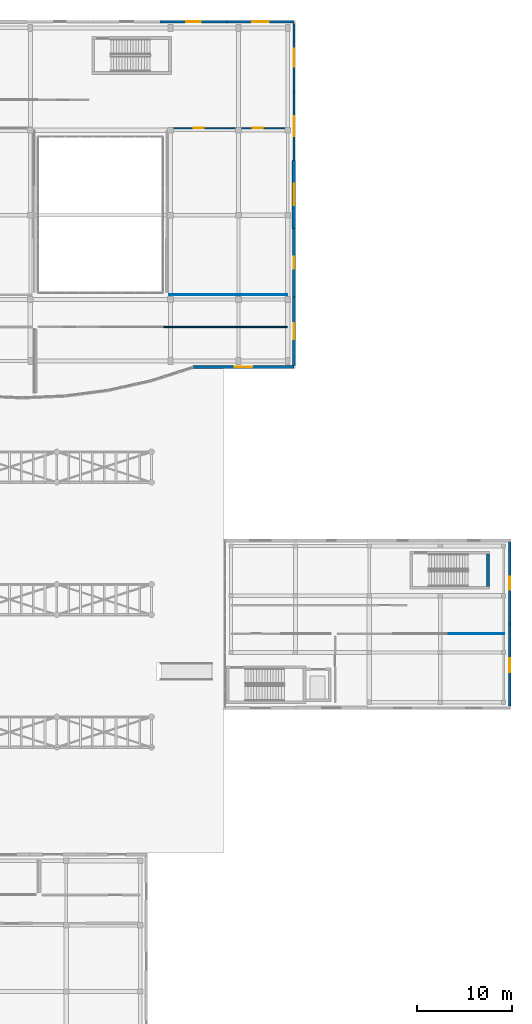
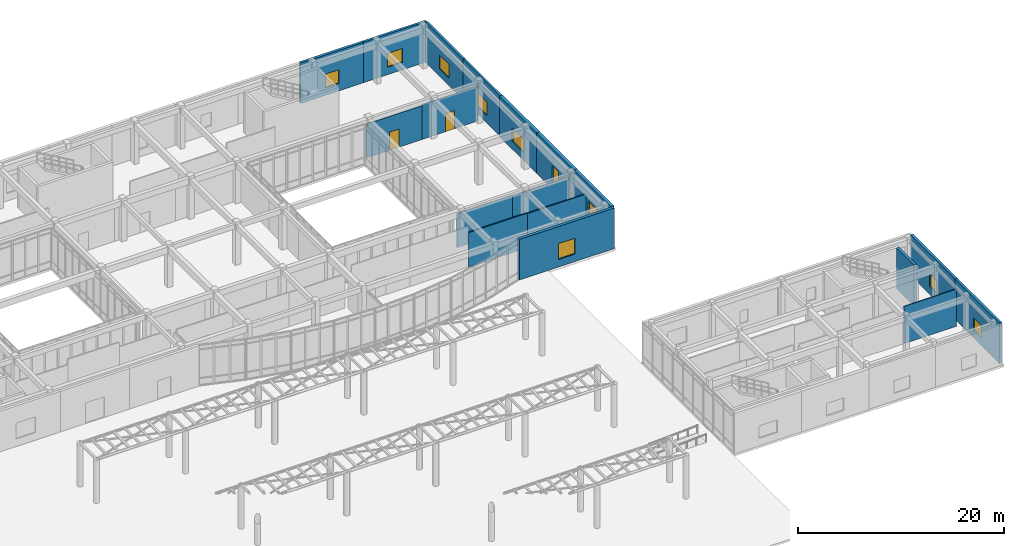
# One storey, part 107 of 121: 18 walls, 10 windows, 2 doors, 12 openings.
"""IFC4 building model written with IfcOpenShell, lengths in metres."""

from ifc_helpers import new_model, si_unit, direction, frame, frame_2d, origin, place, context, subcontext, project, spatial, rectangle, extrude, material, layer, layer_set, type_object, element, fill, save


model = new_model("IFC4")

# Units and contexts
model_context = context("Model", 3, precision=1e-05, world=origin(), true_north=direction((0.0, 1.0)))
body_context = subcontext(model_context, "Body", "Model", "MODEL_VIEW")
ifc_project = project(units=[si_unit("LENGTHUNIT", "METRE"), si_unit("AREAUNIT", "SQUARE_METRE"), si_unit("VOLUMEUNIT", "CUBIC_METRE"), si_unit("PLANEANGLEUNIT", "RADIAN"), si_unit("MASSUNIT", "GRAM", prefix="KILO")], contexts=[model_context])

# Site, building, storey
site_placement = place(None, origin())
site = spatial("IfcSite", under=ifc_project, at=site_placement, CompositionType="ELEMENT")
building_placement = place(site_placement, origin())
building = spatial("IfcBuilding", under=site, at=building_placement, Name="Valcora Specialist Clinic", CompositionType="ELEMENT")
storey_placement = place(building_placement, origin())
storey = spatial("IfcBuildingStorey", under=building, at=storey_placement, Name="L00", CompositionType="ELEMENT", Elevation=0.0)

# Wall
ifc_material_1 = material(Name="Concrete C40/50", Category="concrete")
ifc_layer_1 = layer(ifc_material_1, 0.320068359375)
ifc_layer_set_1 = layer_set([ifc_layer_1], Name="Concrete C40/50")
wall_type_1 = type_object("IfcWallType", Name="TY-WL-CR320", PredefinedType="SHEAR", material=ifc_layer_set_1)
wall_1_placement = place(storey_placement, frame((159.56005859375, 51.001953125, 0.0), z_axis=(0.0, 0.0, 1.0), x_axis=(0.0, 1.0, 0.0)))
element("IfcWall", 1, at=wall_1_placement, inside=storey, type_object=wall_type_1, Name="Core shear wall WL-CR-C-V3B-L00-E", PredefinedType="SHEAR", context=body_context, shape_type="SweptSolid", body=[
    extrude(rectangle(XDim=3.39599609375, YDim=0.320068359375, at=frame_2d((1.697998046875, 0.0))), origin(), (0.0, 0.0, 1.0), 4.824951171875),
])

# Wall, opening, window
ifc_material_2 = material(Name="Extruded Jalisco Clay Brick Masonry", Category="masonry")
ifc_layer_2 = layer(ifc_material_2, 0.235107421875)
ifc_layer_set_2 = layer_set([ifc_layer_2], Name="Extruded Jalisco Clay Brick Masonry")
wall_type_2 = type_object("IfcWallType", Name="TY-WL-EW235", PredefinedType="SOLIDWALL", material=ifc_layer_set_2)
wall_2_placement = place(storey_placement, frame((139.050048828125, 103.236083984375, 0.0), z_axis=(0.0, 0.0, 1.0), x_axis=(0.0, -1.0, 0.0)))
wall_2 = element("IfcWall", 2, at=wall_2_placement, inside=storey, type_object=wall_type_2, Name="Exterior wall WL-EXT-L00-0140", PredefinedType="SOLIDWALL", context=body_context, shape_type="SweptSolid", body=[
    extrude(rectangle(XDim=7.22412109375, YDim=0.235107421875, at=frame_2d((3.612060546875, 0.0))), origin(), (0.0, 0.0, 1.0), 4.81005859375),
])
opening_1_placement = place(wall_2_placement, frame((2.552001953125, 0.0, 0.89990234375)))
opening_1 = element("IfcOpeningElement", 3, at=opening_1_placement, cuts=wall_2, Name="Opening WN-37", PredefinedType="OPENING", context=body_context, shape_type="SweptSolid", body=[
    extrude(rectangle(XDim=2.1201171875, YDim=1.6201171875, at=frame_2d((1.06005859375, 0.81005859375))), frame((0.0, 0.12744140625, 0.0), z_axis=(0.0, -1.0, 0.0), x_axis=(1.0, 0.0, 0.0)), (0.0, 0.0, 1.0), 0.255126953125),
])
ifc_material_3 = material(Name="Low-E Laminated Insulating Glass", Category="glass")
window_type_1 = type_object("IfcWindowType", Name="TY-WN-37", PartitioningType="SINGLE_PANEL", PredefinedType="WINDOW", material=ifc_material_3)
window_1_placement = place(opening_1_placement, origin())
window_1 = element("IfcWindow", 4, at=window_1_placement, inside=storey, type_object=window_type_1, Name="Facade window WN-L00-0121", OverallHeight=1.6201171875, OverallWidth=2.1201171875, PartitioningType="SINGLE_PANEL", PredefinedType="WINDOW", context=body_context, shape_type="SweptSolid", body=[
    extrude(rectangle(XDim=2.1201171875, YDim=1.6201171875, at=frame_2d((1.06005859375, 0.81005859375))), frame((0.0, 0.030029296875, 0.0), z_axis=(0.0, -1.0, 0.0), x_axis=(1.0, 0.0, 0.0)), (0.0, 0.0, 1.0), 0.06005859375),
])
fill(opening_1, window_1)

ifc_layer_3 = layer(ifc_material_2, 0.25)
ifc_layer_set_3 = layer_set([ifc_layer_3], Name="Extruded Jalisco Clay Brick Masonry")
wall_type_3 = type_object("IfcWallType", Name="TY-WL-EW250", PredefinedType="SOLIDWALL", material=ifc_layer_set_3)
wall_3_placement = place(storey_placement, frame((139.050048828125, 110.4599609375, 0.0), z_axis=(0.0, 0.0, 1.0), x_axis=(0.0, -1.0, 0.0)))
wall_3 = element("IfcWall", 5, at=wall_3_placement, inside=storey, type_object=wall_type_3, Name="Exterior wall WL-EXT-L00-0139", PredefinedType="SOLIDWALL", context=body_context, shape_type="SweptSolid", body=[
    extrude(rectangle(XDim=7.223876953125, YDim=0.25, at=frame_2d((3.61181640625, 0.0))), origin(), (0.0, 0.0, 1.0), 4.81005859375),
])
opening_2_placement = place(wall_3_placement, frame((2.652099609375, 0.0, 0.89990234375)))
opening_2 = element("IfcOpeningElement", 6, at=opening_2_placement, cuts=wall_3, Name="Opening WN-36", PredefinedType="OPENING", context=body_context, shape_type="SweptSolid", body=[
    extrude(rectangle(XDim=1.919921875, YDim=1.6201171875, at=frame_2d((0.9599609375, 0.81005859375))), frame((0.0, 0.135009765625, 0.0), z_axis=(0.0, -1.0, 0.0), x_axis=(1.0, 0.0, 0.0)), (0.0, 0.0, 1.0), 0.27001953125),
])
window_type_2 = type_object("IfcWindowType", Name="TY-WN-36", PartitioningType="SINGLE_PANEL", PredefinedType="WINDOW", material=ifc_material_3)
window_2_placement = place(opening_2_placement, origin())
window_2 = element("IfcWindow", 7, at=window_2_placement, inside=storey, type_object=window_type_2, Name="Facade window WN-L00-0120", OverallHeight=1.6201171875, OverallWidth=1.919921875, PartitioningType="SINGLE_PANEL", PredefinedType="WINDOW", context=body_context, shape_type="SweptSolid", body=[
    extrude(rectangle(XDim=1.919921875, YDim=1.6201171875, at=frame_2d((0.9599609375, 0.81005859375))), frame((0.0, 0.030029296875, 0.0), z_axis=(0.0, -1.0, 0.0), x_axis=(1.0, 0.0, 0.0)), (0.0, 0.0, 1.0), 0.06005859375),
])
fill(opening_2, window_2)

ifc_layer_4 = layer(ifc_material_2, 0.264892578125)
ifc_layer_set_4 = layer_set([ifc_layer_4], Name="Extruded Jalisco Clay Brick Masonry")
wall_type_4 = type_object("IfcWallType", Name="TY-WL-EW265", PredefinedType="SOLIDWALL", material=ifc_layer_set_4)
wall_4_placement = place(storey_placement, frame((161.85009765625, 47.0, 0.0), z_axis=(0.0, 0.0, 1.0), x_axis=(0.0, -1.0, 0.0)))
wall_4 = element("IfcWall", 8, at=wall_4_placement, inside=storey, type_object=wall_type_4, Name="Exterior wall WL-EXT-L00-0108", PredefinedType="SOLIDWALL", context=body_context, shape_type="SweptSolid", body=[
    extrude(rectangle(XDim=8.659912109375, YDim=0.264892578125, at=frame_2d((4.330078125, 0.0))), origin(), (0.0, 0.0, 1.0), 4.824951171875),
])
opening_3_placement = place(wall_4_placement, frame((3.580078125, 0.0, 0.89990234375)))
opening_3 = element("IfcOpeningElement", 9, at=opening_3_placement, cuts=wall_4, Name="Opening WN-05", PredefinedType="OPENING", context=body_context, shape_type="SweptSolid", body=[
    extrude(rectangle(XDim=1.5, YDim=1.5, at=frame_2d((0.75, 0.75))), frame((0.0, 0.142333984375, 0.0), z_axis=(0.0, -1.0, 0.0), x_axis=(1.0, 0.0, 0.0)), (0.0, 0.0, 1.0), 0.284912109375),
])
window_type_3 = type_object("IfcWindowType", Name="TY-WN-05", PartitioningType="SINGLE_PANEL", PredefinedType="WINDOW", material=ifc_material_3)
window_3_placement = place(opening_3_placement, origin())
window_3 = element("IfcWindow", 10, at=window_3_placement, inside=storey, type_object=window_type_3, Name="Facade window WN-L00-0089", OverallHeight=1.5, OverallWidth=1.5, PartitioningType="SINGLE_PANEL", PredefinedType="WINDOW", context=body_context, shape_type="SweptSolid", body=[
    extrude(rectangle(XDim=1.5, YDim=1.5, at=frame_2d((0.75, 0.75))), frame((0.0, 0.030029296875, 0.0), z_axis=(0.0, -1.0, 0.0), x_axis=(1.0, 0.0, 0.0)), (0.0, 0.0, 1.0), 0.06005859375),
])
fill(opening_3, window_3)

wall_5_placement = place(storey_placement, frame((131.986328125, 110.64990234375, 0.0), z_axis=(0.0, 0.0, 1.0), x_axis=(1.0, 0.0, 0.0)))
wall_5 = element("IfcWall", 11, at=wall_5_placement, inside=storey, type_object=wall_type_4, Name="Exterior wall WL-EXT-L00-0138", PredefinedType="SOLIDWALL", context=body_context, shape_type="SweptSolid", body=[
    extrude(rectangle(XDim=7.063720703125, YDim=0.264892578125, at=frame_2d((3.53173828125, 0.0))), origin(), (0.0, 0.0, 1.0), 4.81005859375),
])
opening_4_placement = place(wall_5_placement, frame((2.672119140625, 0.0, 0.89990234375)))
opening_4 = element("IfcOpeningElement", 12, at=opening_4_placement, cuts=wall_5, Name="Opening WN-35", PredefinedType="OPENING", context=body_context, shape_type="SweptSolid", body=[
    extrude(rectangle(XDim=1.719970703125, YDim=1.6201171875, at=frame_2d((0.85986328125, 0.81005859375))), frame((0.0, 0.142333984375, 0.0), z_axis=(0.0, -1.0, 0.0), x_axis=(1.0, 0.0, 0.0)), (0.0, 0.0, 1.0), 0.284912109375),
])
window_type_4 = type_object("IfcWindowType", Name="TY-WN-35", PartitioningType="SINGLE_PANEL", PredefinedType="WINDOW", material=ifc_material_3)
window_4_placement = place(opening_4_placement, origin())
window_4 = element("IfcWindow", 13, at=window_4_placement, inside=storey, type_object=window_type_4, Name="Facade window WN-L00-0119", OverallHeight=1.6201171875, OverallWidth=1.719970703125, PartitioningType="SINGLE_PANEL", PredefinedType="WINDOW", context=body_context, shape_type="SweptSolid", body=[
    extrude(rectangle(XDim=1.719970703125, YDim=1.6201171875, at=frame_2d((0.85986328125, 0.81005859375))), frame((0.0, 0.030029296875, 0.0), z_axis=(0.0, -1.0, 0.0), x_axis=(1.0, 0.0, 0.0)), (0.0, 0.0, 1.0), 0.06005859375),
])
fill(opening_4, window_4)

ifc_layer_5 = layer(ifc_material_2, 0.280029296875)
ifc_layer_set_5 = layer_set([ifc_layer_5], Name="Extruded Jalisco Clay Brick Masonry")
wall_type_5 = type_object("IfcWallType", Name="TY-WL-EW280", PredefinedType="SOLIDWALL", material=ifc_layer_set_5)
wall_6_placement = place(storey_placement, frame((161.85009765625, 55.659912109375, 0.0), z_axis=(0.0, 0.0, 1.0), x_axis=(0.0, -1.0, 0.0)))
wall_6 = element("IfcWall", 14, at=wall_6_placement, inside=storey, type_object=wall_type_5, Name="Exterior wall WL-EXT-L00-0107", PredefinedType="SOLIDWALL", context=body_context, shape_type="SweptSolid", body=[
    extrude(rectangle(XDim=8.659912109375, YDim=0.280029296875, at=frame_2d((4.330078125, 0.0))), origin(), (0.0, 0.0, 1.0), 4.824951171875),
])
opening_5_placement = place(wall_6_placement, frame((3.655029296875, 0.0, 0.89990234375)))
opening_5 = element("IfcOpeningElement", 15, at=opening_5_placement, cuts=wall_6, Name="Opening WN-04", PredefinedType="OPENING", context=body_context, shape_type="SweptSolid", body=[
    extrude(rectangle(XDim=1.35009765625, YDim=1.5, at=frame_2d((0.675048828125, 0.75))), frame((0.0, 0.14990234375, 0.0), z_axis=(0.0, -1.0, 0.0), x_axis=(1.0, 0.0, 0.0)), (0.0, 0.0, 1.0), 0.300048828125),
])
window_type_5 = type_object("IfcWindowType", Name="TY-WN-04", PartitioningType="SINGLE_PANEL", PredefinedType="WINDOW", material=ifc_material_3)
window_5_placement = place(opening_5_placement, origin())
window_5 = element("IfcWindow", 16, at=window_5_placement, inside=storey, type_object=window_type_5, Name="Facade window WN-L00-0088", OverallHeight=1.5, OverallWidth=1.35009765625, PartitioningType="SINGLE_PANEL", PredefinedType="WINDOW", context=body_context, shape_type="SweptSolid", body=[
    extrude(rectangle(XDim=1.35009765625, YDim=1.5, at=frame_2d((0.675048828125, 0.75))), frame((0.0, 0.030029296875, 0.0), z_axis=(0.0, -1.0, 0.0), x_axis=(1.0, 0.0, 0.0)), (0.0, 0.0, 1.0), 0.06005859375),
])
fill(opening_5, window_5)

wall_7_placement = place(storey_placement, frame((124.922607421875, 110.64990234375, 0.0), z_axis=(0.0, 0.0, 1.0), x_axis=(1.0, 0.0, 0.0)))
wall_7 = element("IfcWall", 17, at=wall_7_placement, inside=storey, type_object=wall_type_5, Name="Exterior wall WL-EXT-L00-0137", PredefinedType="SOLIDWALL", context=body_context, shape_type="SweptSolid", body=[
    extrude(rectangle(XDim=7.063720703125, YDim=0.280029296875, at=frame_2d((3.53173828125, 0.0))), origin(), (0.0, 0.0, 1.0), 4.81005859375),
])
opening_6_placement = place(wall_7_placement, frame((2.761962890625, 0.0, 0.89990234375)))
opening_6 = element("IfcOpeningElement", 18, at=opening_6_placement, cuts=wall_7, Name="Opening WN-34", PredefinedType="OPENING", context=body_context, shape_type="SweptSolid", body=[
    extrude(rectangle(XDim=1.5400390625, YDim=1.6201171875, at=frame_2d((0.77001953125, 0.81005859375))), frame((0.0, 0.14990234375, 0.0), z_axis=(0.0, -1.0, 0.0), x_axis=(1.0, 0.0, 0.0)), (0.0, 0.0, 1.0), 0.300048828125),
])
window_type_6 = type_object("IfcWindowType", Name="TY-WN-34", PartitioningType="SINGLE_PANEL", PredefinedType="WINDOW", material=ifc_material_3)
window_6_placement = place(opening_6_placement, origin())
window_6 = element("IfcWindow", 19, at=window_6_placement, inside=storey, type_object=window_type_6, Name="Facade window WN-L00-0118", OverallHeight=1.6201171875, OverallWidth=1.5400390625, PartitioningType="SINGLE_PANEL", PredefinedType="WINDOW", context=body_context, shape_type="SweptSolid", body=[
    extrude(rectangle(XDim=1.5400390625, YDim=1.6201171875, at=frame_2d((0.77001953125, 0.81005859375))), frame((0.0, 0.030029296875, 0.0), z_axis=(0.0, -1.0, 0.0), x_axis=(1.0, 0.0, 0.0)), (0.0, 0.0, 1.0), 0.06005859375),
])
fill(opening_6, window_6)

ifc_layer_6 = layer(ifc_material_2, 0.324951171875)
ifc_layer_set_6 = layer_set([ifc_layer_6], Name="Extruded Jalisco Clay Brick Masonry")
wall_type_6 = type_object("IfcWallType", Name="TY-WL-EW325", PredefinedType="SOLIDWALL", material=ifc_layer_set_6)
wall_8_placement = place(storey_placement, frame((139.050048828125, 74.14990234375, 0.0), z_axis=(0.0, 0.0, 1.0), x_axis=(-1.0, 0.0, 0.0)))
wall_8 = element("IfcWall", 20, at=wall_8_placement, inside=storey, type_object=wall_type_6, Name="Exterior wall WL-EXT-L00-0144", PredefinedType="SOLIDWALL", context=body_context, shape_type="SweptSolid", body=[
    extrude(rectangle(XDim=10.67333984375, YDim=0.324951171875, at=frame_2d((5.336669921875, 0.0))), origin(), (0.0, 0.0, 1.0), 4.81005859375),
])
opening_7_placement = place(wall_8_placement, frame((4.39697265625, 0.0, 0.89990234375)))
opening_7 = element("IfcOpeningElement", 21, at=opening_7_placement, cuts=wall_8, Name="Opening WN-41", PredefinedType="OPENING", context=body_context, shape_type="SweptSolid", body=[
    extrude(rectangle(XDim=1.8798828125, YDim=1.8798828125, at=frame_2d((0.93994140625, 0.93994140625))), frame((0.0, 0.17236328125, 0.0), z_axis=(0.0, -1.0, 0.0), x_axis=(1.0, 0.0, 0.0)), (0.0, 0.0, 1.0), 0.344970703125),
])
window_type_7 = type_object("IfcWindowType", Name="TY-WN-41", PartitioningType="SINGLE_PANEL", PredefinedType="WINDOW", material=ifc_material_3)
window_7_placement = place(opening_7_placement, origin())
window_7 = element("IfcWindow", 22, at=window_7_placement, inside=storey, type_object=window_type_7, Name="Facade window WN-L00-0125", OverallHeight=1.8798828125, OverallWidth=1.8798828125, PartitioningType="SINGLE_PANEL", PredefinedType="WINDOW", context=body_context, shape_type="SweptSolid", body=[
    extrude(rectangle(XDim=1.8798828125, YDim=1.8798828125, at=frame_2d((0.93994140625, 0.93994140625))), frame((0.0, 0.030029296875, 0.0), z_axis=(0.0, -1.0, 0.0), x_axis=(1.0, 0.0, 0.0)), (0.0, 0.0, 1.0), 0.06005859375),
])
fill(opening_7, window_7)

ifc_layer_7 = layer(ifc_material_2, 0.340087890625)
ifc_layer_set_7 = layer_set([ifc_layer_7], Name="Extruded Jalisco Clay Brick Masonry")
wall_type_7 = type_object("IfcWallType", Name="TY-WL-EW340", PredefinedType="SOLIDWALL", material=ifc_layer_set_7)
wall_9_placement = place(storey_placement, frame((139.050048828125, 81.56396484375, 0.0), z_axis=(0.0, 0.0, 1.0), x_axis=(0.0, -1.0, 0.0)))
wall_9 = element("IfcWall", 23, at=wall_9_placement, inside=storey, type_object=wall_type_7, Name="Exterior wall WL-EXT-L00-0143", PredefinedType="SOLIDWALL", context=body_context, shape_type="SweptSolid", body=[
    extrude(rectangle(XDim=7.223876953125, YDim=0.340087890625, at=frame_2d((3.61181640625, 0.0))), origin(), (0.0, 0.0, 1.0), 4.81005859375),
])
opening_8_placement = place(wall_9_placement, frame((2.77197265625, 0.0, 0.89990234375)))
opening_8 = element("IfcOpeningElement", 24, at=opening_8_placement, cuts=wall_9, Name="Opening WN-40", PredefinedType="OPENING", context=body_context, shape_type="SweptSolid", body=[
    extrude(rectangle(XDim=1.679931640625, YDim=1.8798828125, at=frame_2d((0.83984375, 0.93994140625))), frame((0.0, 0.179931640625, 0.0), z_axis=(0.0, -1.0, 0.0), x_axis=(1.0, 0.0, 0.0)), (0.0, 0.0, 1.0), 0.360107421875),
])
window_type_8 = type_object("IfcWindowType", Name="TY-WN-40", PartitioningType="SINGLE_PANEL", PredefinedType="WINDOW", material=ifc_material_3)
window_8_placement = place(opening_8_placement, origin())
window_8 = element("IfcWindow", 25, at=window_8_placement, inside=storey, type_object=window_type_8, Name="Facade window WN-L00-0124", OverallHeight=1.8798828125, OverallWidth=1.679931640625, PartitioningType="SINGLE_PANEL", PredefinedType="WINDOW", context=body_context, shape_type="SweptSolid", body=[
    extrude(rectangle(XDim=1.679931640625, YDim=1.8798828125, at=frame_2d((0.83984375, 0.93994140625))), frame((0.0, 0.030029296875, 0.0), z_axis=(0.0, -1.0, 0.0), x_axis=(1.0, 0.0, 0.0)), (0.0, 0.0, 1.0), 0.06005859375),
])
fill(opening_8, window_8)

ifc_layer_8 = layer(ifc_material_2, 0.35498046875)
ifc_layer_set_8 = layer_set([ifc_layer_8], Name="Extruded Jalisco Clay Brick Masonry")
wall_type_8 = type_object("IfcWallType", Name="TY-WL-EW355", PredefinedType="SOLIDWALL", material=ifc_layer_set_8)
wall_10_placement = place(storey_placement, frame((139.050048828125, 88.7880859375, 0.0), z_axis=(0.0, 0.0, 1.0), x_axis=(0.0, -1.0, 0.0)))
wall_10 = element("IfcWall", 26, at=wall_10_placement, inside=storey, type_object=wall_type_8, Name="Exterior wall WL-EXT-L00-0142", PredefinedType="SOLIDWALL", context=body_context, shape_type="SweptSolid", body=[
    extrude(rectangle(XDim=7.22412109375, YDim=0.35498046875, at=frame_2d((3.612060546875, 0.0))), origin(), (0.0, 0.0, 1.0), 4.81005859375),
])
opening_9_placement = place(wall_10_placement, frame((2.971923828125, 0.0, 0.89990234375)))
opening_9 = element("IfcOpeningElement", 27, at=opening_9_placement, cuts=wall_10, Name="Opening WN-39", PredefinedType="OPENING", context=body_context, shape_type="SweptSolid", body=[
    extrude(rectangle(XDim=1.280029296875, YDim=1.8798828125, at=frame_2d((0.64013671875, 0.93994140625))), frame((0.0, 0.1875, 0.0), z_axis=(0.0, -1.0, 0.0), x_axis=(1.0, 0.0, 0.0)), (0.0, 0.0, 1.0), 0.375),
])
window_type_9 = type_object("IfcWindowType", Name="TY-WN-39", PartitioningType="SINGLE_PANEL", PredefinedType="WINDOW", material=ifc_material_3)
window_9_placement = place(opening_9_placement, origin())
window_9 = element("IfcWindow", 28, at=window_9_placement, inside=storey, type_object=window_type_9, Name="Facade window WN-L00-0123", OverallHeight=1.8798828125, OverallWidth=1.280029296875, PartitioningType="SINGLE_PANEL", PredefinedType="WINDOW", context=body_context, shape_type="SweptSolid", body=[
    extrude(rectangle(XDim=1.280029296875, YDim=1.8798828125, at=frame_2d((0.64013671875, 0.93994140625))), frame((0.0, 0.030029296875, 0.0), z_axis=(0.0, -1.0, 0.0), x_axis=(1.0, 0.0, 0.0)), (0.0, 0.0, 1.0), 0.06005859375),
])
fill(opening_9, window_9)

ifc_layer_9 = layer(ifc_material_2, 0.3701171875)
ifc_layer_set_9 = layer_set([ifc_layer_9], Name="Extruded Jalisco Clay Brick Masonry")
wall_type_9 = type_object("IfcWallType", Name="TY-WL-EW370", PredefinedType="SOLIDWALL", material=ifc_layer_set_9)
wall_11_placement = place(storey_placement, frame((139.050048828125, 96.011962890625, 0.0), z_axis=(0.0, 0.0, 1.0), x_axis=(0.0, -1.0, 0.0)))
wall_11 = element("IfcWall", 29, at=wall_11_placement, inside=storey, type_object=wall_type_9, Name="Exterior wall WL-EXT-L00-0141", PredefinedType="SOLIDWALL", context=body_context, shape_type="SweptSolid", body=[
    extrude(rectangle(XDim=7.223876953125, YDim=0.3701171875, at=frame_2d((3.61181640625, 0.0))), origin(), (0.0, 0.0, 1.0), 4.81005859375),
])
opening_10_placement = place(wall_11_placement, frame((2.451904296875, 0.0, 0.89990234375)))
opening_10 = element("IfcOpeningElement", 30, at=opening_10_placement, cuts=wall_11, Name="Opening WN-38", PredefinedType="OPENING", context=body_context, shape_type="SweptSolid", body=[
    extrude(rectangle(XDim=2.320068359375, YDim=1.6201171875, at=frame_2d((1.16015625, 0.81005859375))), frame((0.0, 0.195068359375, 0.0), z_axis=(0.0, -1.0, 0.0), x_axis=(1.0, 0.0, 0.0)), (0.0, 0.0, 1.0), 0.39013671875),
])
window_type_10 = type_object("IfcWindowType", Name="TY-WN-38", PartitioningType="SINGLE_PANEL", PredefinedType="WINDOW", material=ifc_material_3)
window_10_placement = place(opening_10_placement, origin())
window_10 = element("IfcWindow", 31, at=window_10_placement, inside=storey, type_object=window_type_10, Name="Facade window WN-L00-0122", OverallHeight=1.6201171875, OverallWidth=2.320068359375, PartitioningType="SINGLE_PANEL", PredefinedType="WINDOW", context=body_context, shape_type="SweptSolid", body=[
    extrude(rectangle(XDim=2.320068359375, YDim=1.6201171875, at=frame_2d((1.16015625, 0.81005859375))), frame((0.0, 0.030029296875, 0.0), z_axis=(0.0, -1.0, 0.0), x_axis=(1.0, 0.0, 0.0)), (0.0, 0.0, 1.0), 0.06005859375),
])
fill(opening_10, window_10)

# Walls
ifc_material_4 = material(Name="Gypsum Board Partition Assembly")
ifc_layer_10 = layer(ifc_material_4, 0.094970703125)
ifc_layer_set_10 = layer_set([ifc_layer_10], Name="Gypsum Board Partition Assembly")
wall_type_10 = type_object("IfcWallType", Name="TY-WL-PT095", PredefinedType="PARTITIONING", material=ifc_layer_set_10)
wall_12_placement = place(storey_placement, frame((155.383056640625, 46.0, 0.0), z_axis=(0.0, 0.0, 1.0), x_axis=(1.0, 0.0, 0.0)))
element("IfcWall", 32, at=wall_12_placement, inside=storey, type_object=wall_type_10, Name="Interior partition WL-INT-L00-0065", PredefinedType="PARTITIONING", context=body_context, shape_type="SweptSolid", body=[
    extrude(rectangle(XDim=5.866943359375, YDim=0.094970703125, at=frame_2d((2.93359375, 0.0))), origin(), (0.0, 0.0, 1.0), 4.4150390625),
])
wall_13_placement = place(storey_placement, frame((132.10009765625, 81.800048828125, 0.0), z_axis=(0.0, 0.0, 1.0), x_axis=(-1.0, 0.0, 0.0)))
element("IfcWall", 33, at=wall_13_placement, inside=storey, type_object=wall_type_10, Name="Interior partition WL-INT-L00-0101", PredefinedType="PARTITIONING", context=body_context, shape_type="SweptSolid", body=[
    extrude(rectangle(XDim=6.25, YDim=0.094970703125, at=frame_2d((3.125, 0.0))), origin(), (0.0, 0.0, 1.0), 4.06005859375),
])
ifc_layer_11 = layer(ifc_material_4, 0.10498046875)
ifc_layer_set_11 = layer_set([ifc_layer_11], Name="Gypsum Board Partition Assembly")
wall_type_11 = type_object("IfcWallType", Name="TY-WL-PT105", PredefinedType="PARTITIONING", material=ifc_layer_set_11)
wall_14_placement = place(storey_placement, frame((138.35009765625, 81.800048828125, 0.0), z_axis=(0.0, 0.0, 1.0), x_axis=(-1.0, 0.0, 0.0)))
element("IfcWall", 34, at=wall_14_placement, inside=storey, type_object=wall_type_11, Name="Interior partition WL-INT-L00-0100", PredefinedType="PARTITIONING", context=body_context, shape_type="SweptSolid", body=[
    extrude(rectangle(XDim=6.25, YDim=0.10498046875, at=frame_2d((3.125, 0.0))), origin(), (0.0, 0.0, 1.0), 4.010009765625),
])

# Wall, opening, door
ifc_layer_12 = layer(ifc_material_4, 0.114990234375)
ifc_layer_set_12 = layer_set([ifc_layer_12], Name="Gypsum Board Partition Assembly")
wall_type_12 = type_object("IfcWallType", Name="TY-WL-PT115", PredefinedType="PARTITIONING", material=ifc_layer_set_12)
wall_15_placement = place(storey_placement, frame((132.10009765625, 99.39990234375, 0.0), z_axis=(0.0, 0.0, 1.0), x_axis=(1.0, 0.0, 0.0)))
wall_15 = element("IfcWall", 35, at=wall_15_placement, inside=storey, type_object=wall_type_12, Name="Interior partition WL-INT-L00-0099", PredefinedType="PARTITIONING", context=body_context, shape_type="SweptSolid", body=[
    extrude(rectangle(XDim=6.25, YDim=0.114990234375, at=frame_2d((3.125, 0.0))), origin(), (0.0, 0.0, 1.0), 4.110107421875),
])
opening_11_placement = place(wall_15_placement, frame((2.614990234375, 0.0, 0.0)))
opening_11 = element("IfcOpeningElement", 36, at=opening_11_placement, cuts=wall_15, Name="Opening DR-CN-102", PredefinedType="OPENING", context=body_context, shape_type="SweptSolid", body=[
    extrude(rectangle(XDim=1.02001953125, YDim=2.14990234375, at=frame_2d((0.510009765625, 1.074951171875))), frame((0.0, 0.0673828125, 0.0), z_axis=(0.0, -1.0, 0.0), x_axis=(1.0, 0.0, 0.0)), (0.0, 0.0, 1.0), 0.135009765625),
])
ifc_material_5 = material(Name="Glulam Conifer Class 24F", Category="wood")
door_type_1 = type_object("IfcDoorType", Name="TY-DR-CN102", OperationType="NOTDEFINED", PredefinedType="DOOR", material=ifc_material_5)
door_1_placement = place(opening_11_placement, origin())
door_1 = element("IfcDoor", 37, at=door_1_placement, inside=storey, type_object=door_type_1, Name="Interior door DR-INT-L00-0027", OperationType="SINGLE_SWING_LEFT", OverallHeight=2.14990234375, OverallWidth=1.02001953125, PredefinedType="DOOR", context=body_context, shape_type="SweptSolid", body=[
    extrude(rectangle(XDim=1.02001953125, YDim=2.14990234375, at=frame_2d((0.510009765625, 1.074951171875))), frame((0.0, 0.02490234375, 0.0), z_axis=(0.0, -1.0, 0.0), x_axis=(1.0, 0.0, 0.0)), (0.0, 0.0, 1.0), 0.050048828125),
])
fill(opening_11, door_1)

ifc_layer_13 = layer(ifc_material_4, 0.125)
ifc_layer_set_13 = layer_set([ifc_layer_13], Name="Gypsum Board Partition Assembly")
wall_type_13 = type_object("IfcWallType", Name="TY-WL-PT125", PredefinedType="PARTITIONING", material=ifc_layer_set_13)
wall_16_placement = place(storey_placement, frame((125.85009765625, 99.39990234375, 0.0), z_axis=(0.0, 0.0, 1.0), x_axis=(1.0, 0.0, 0.0)))
wall_16 = element("IfcWall", 38, at=wall_16_placement, inside=storey, type_object=wall_type_13, Name="Interior partition WL-INT-L00-0098", PredefinedType="PARTITIONING", context=body_context, shape_type="SweptSolid", body=[
    extrude(rectangle(XDim=6.25, YDim=0.125, at=frame_2d((3.125, 0.0))), origin(), (0.0, 0.0, 1.0), 4.010009765625),
])
opening_12_placement = place(wall_16_placement, frame((2.594970703125, 0.0, 0.0)))
opening_12 = element("IfcOpeningElement", 39, at=opening_12_placement, cuts=wall_16, Name="Opening DR-CN-106", PredefinedType="OPENING", context=body_context, shape_type="SweptSolid", body=[
    extrude(rectangle(XDim=1.06005859375, YDim=2.14990234375, at=frame_2d((0.530029296875, 1.074951171875))), frame((0.0, 0.072509765625, 0.0), z_axis=(0.0, -1.0, 0.0), x_axis=(1.0, 0.0, 0.0)), (0.0, 0.0, 1.0), 0.14501953125),
])
door_type_2 = type_object("IfcDoorType", Name="TY-DR-CN106", OperationType="NOTDEFINED", PredefinedType="DOOR", material=ifc_material_5)
door_2_placement = place(opening_12_placement, origin())
door_2 = element("IfcDoor", 40, at=door_2_placement, inside=storey, type_object=door_type_2, Name="Interior door DR-INT-L00-0026", OperationType="SINGLE_SWING_RIGHT", OverallHeight=2.14990234375, OverallWidth=1.06005859375, PredefinedType="DOOR", context=body_context, shape_type="SweptSolid", body=[
    extrude(rectangle(XDim=1.06005859375, YDim=2.14990234375, at=frame_2d((0.530029296875, 1.074951171875))), frame((0.0, 0.02490234375, 0.0), z_axis=(0.0, -1.0, 0.0), x_axis=(1.0, 0.0, 0.0)), (0.0, 0.0, 1.0), 0.050048828125),
])
fill(opening_12, door_2)

# Walls
ifc_layer_14 = layer(ifc_material_4, 0.135009765625)
ifc_layer_set_14 = layer_set([ifc_layer_14], Name="Gypsum Board Partition Assembly")
wall_type_14 = type_object("IfcWallType", Name="TY-WL-PT135", PredefinedType="PARTITIONING", material=ifc_layer_set_14)
wall_17_placement = place(storey_placement, frame((131.77490234375, 78.39990234375, 0.0), z_axis=(0.0, 0.0, 1.0), x_axis=(1.0, 0.0, 0.0)))
element("IfcWall", 41, at=wall_17_placement, inside=storey, type_object=wall_type_14, Name="Interior partition WL-INT-L00-0085", PredefinedType="PARTITIONING", context=body_context, shape_type="SweptSolid", body=[
    extrude(rectangle(XDim=6.5751953125, YDim=0.135009765625, at=frame_2d((3.28759765625, 0.0))), origin(), (0.0, 0.0, 1.0), 4.06005859375),
])
ifc_layer_15 = layer(ifc_material_4, 0.14501953125)
ifc_layer_set_15 = layer_set([ifc_layer_15], Name="Gypsum Board Partition Assembly")
wall_type_15 = type_object("IfcWallType", Name="TY-WL-PT145", PredefinedType="PARTITIONING", material=ifc_layer_set_15)
wall_18_placement = place(storey_placement, frame((125.199951171875, 78.39990234375, 0.0), z_axis=(0.0, 0.0, 1.0), x_axis=(1.0, 0.0, 0.0)))
element("IfcWall", 42, at=wall_18_placement, inside=storey, type_object=wall_type_15, Name="Interior partition WL-INT-L00-0084", PredefinedType="PARTITIONING", context=body_context, shape_type="SweptSolid", body=[
    extrude(rectangle(XDim=6.574951171875, YDim=0.14501953125, at=frame_2d((3.28759765625, 0.0))), origin(), (0.0, 0.0, 1.0), 4.110107421875),
])

save(model, "model.ifc")
